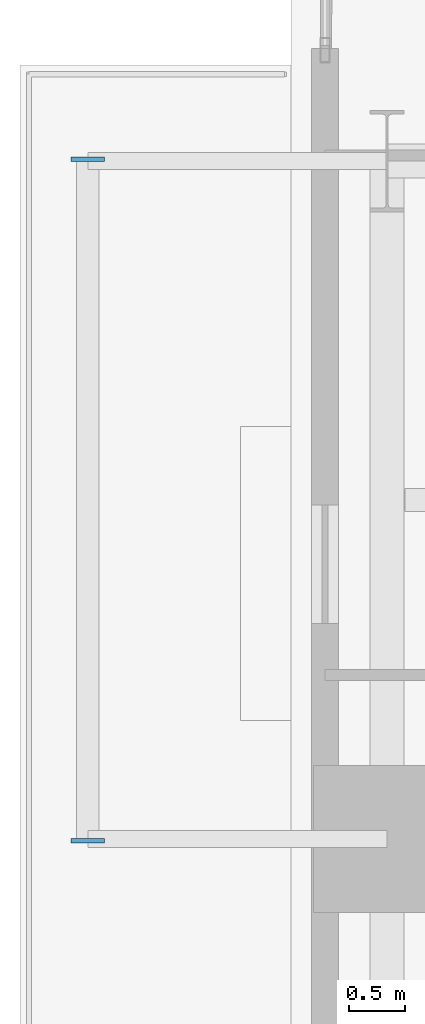
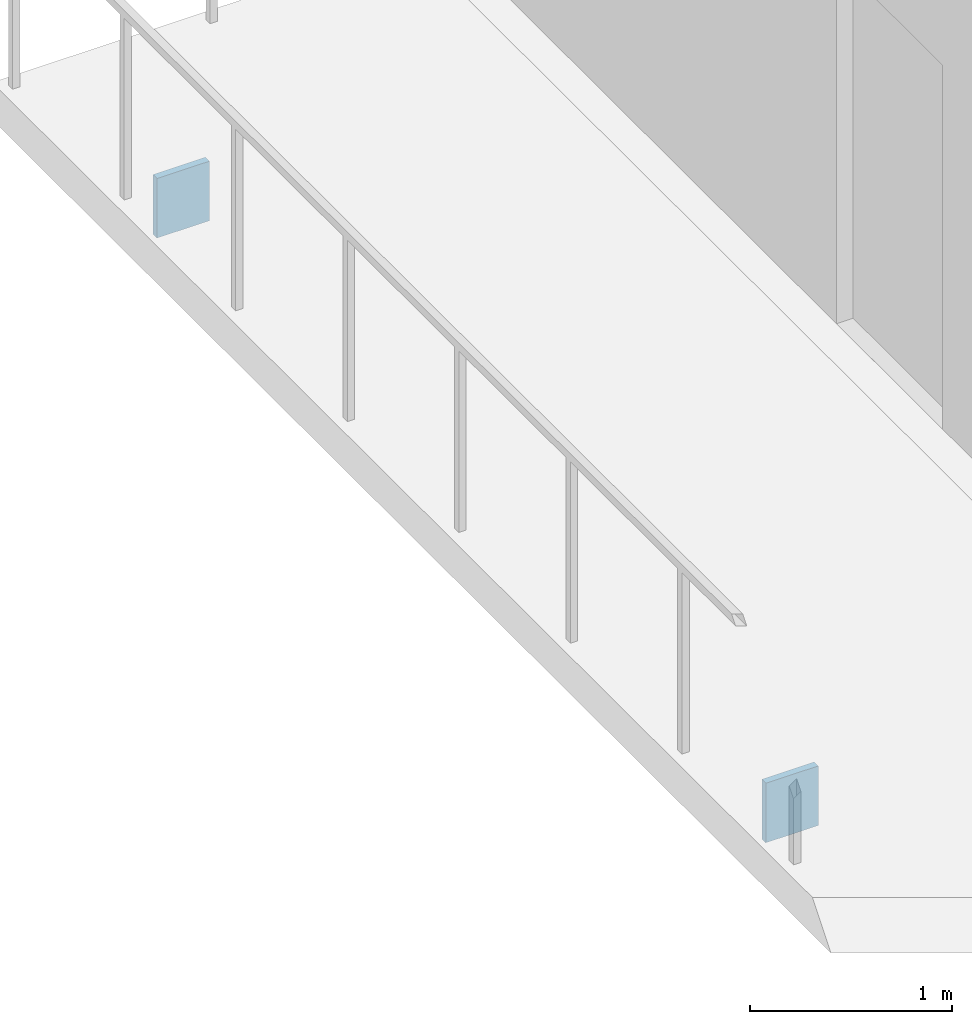
# One storey, part 20 of 27: 2 plates.
"""IFC4 building model written with IfcOpenShell, lengths in metres."""

from ifc_helpers import new_model, si_unit, direction, frame, origin, origin_2d, place, context, subcontext, project, spatial, rectangle, extrude, material, layer, layer_set, type_object, element, save


model = new_model("IFC4")

# Units and contexts
model_context = context("Model", 3, precision=1e-05, world=origin(), true_north=direction((0.0, 1.0)))
body_context = subcontext(model_context, "Body", "Model", "MODEL_VIEW")
ifc_project = project(units=[si_unit("LENGTHUNIT", "METRE"), si_unit("AREAUNIT", "SQUARE_METRE"), si_unit("VOLUMEUNIT", "CUBIC_METRE"), si_unit("PLANEANGLEUNIT", "RADIAN"), si_unit("MASSUNIT", "GRAM", prefix="KILO"), si_unit("THERMODYNAMICTEMPERATUREUNIT", "KELVIN"), si_unit("POWERUNIT", "WATT")], contexts=[model_context])

# Site, building, storey
site_placement = place(None, origin())
site = spatial("IfcSite", under=ifc_project, at=site_placement, CompositionType="ELEMENT")
building_placement = place(site_placement, origin())
building = spatial("IfcBuilding", under=site, at=building_placement, Name="Svarakhadi Broadcast Tower", CompositionType="ELEMENT")
storey_placement = place(building_placement, frame((0.0, 0.0, 90.89990234375)))
storey = spatial("IfcBuildingStorey", under=building, at=storey_placement, Name="L21", CompositionType="ELEMENT", Elevation=90.89990234375)

# Plates
ifc_material = material(Name="Steel S460ML (IS 2062 E450BR)", Category="steel")
ifc_layer = layer(ifc_material, 0.028076171875)
ifc_layer_set = layer_set([ifc_layer], Name="Steel S460ML (IS 2062 E450BR)")
plate_type = type_object("IfcPlateType", Name="Cap_Plate_CP02", PredefinedType="USERDEFINED", material=ifc_layer_set)
for number, where, z_axis, x_axis, name in (
    (1, (-1.800048828125, 35.135009765625, -0.580078125), (0.0, 0.0, 1.0), (1.0, 0.0, 0.0), "L21 Balcony Spandrel End Cap Plate 2F-A"),
    (2, (-1.800048828125, 41.1650390625, -0.580078125), (0.0, 0.0, 1.0), (1.0, 0.0, 0.0), "L21 Balcony Spandrel End Cap Plate 2F-B"),
):
    element("IfcPlate", number, at=place(storey_placement, frame(where, z_axis=z_axis, x_axis=x_axis)), inside=storey, type_object=plate_type, Name=name, ObjectType="FLANGE_PLATE", PredefinedType="USERDEFINED", context=body_context, shape_type="SweptSolid", body=[
        extrude(rectangle(XDim=0.300048828125, YDim=0.0400390625, at=origin_2d()), origin(), (0.0, 0.0, 1.0), 0.360107421875),
    ])

save(model, "model.ifc")
